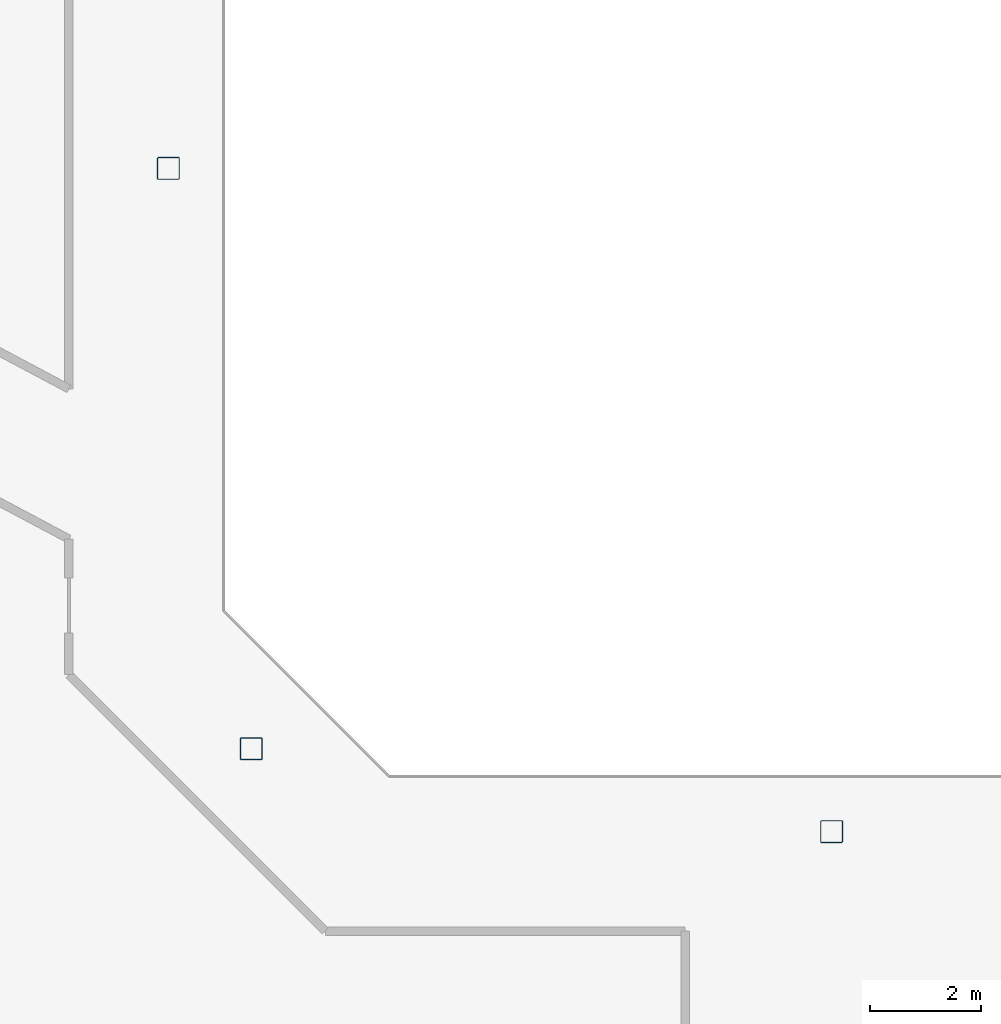
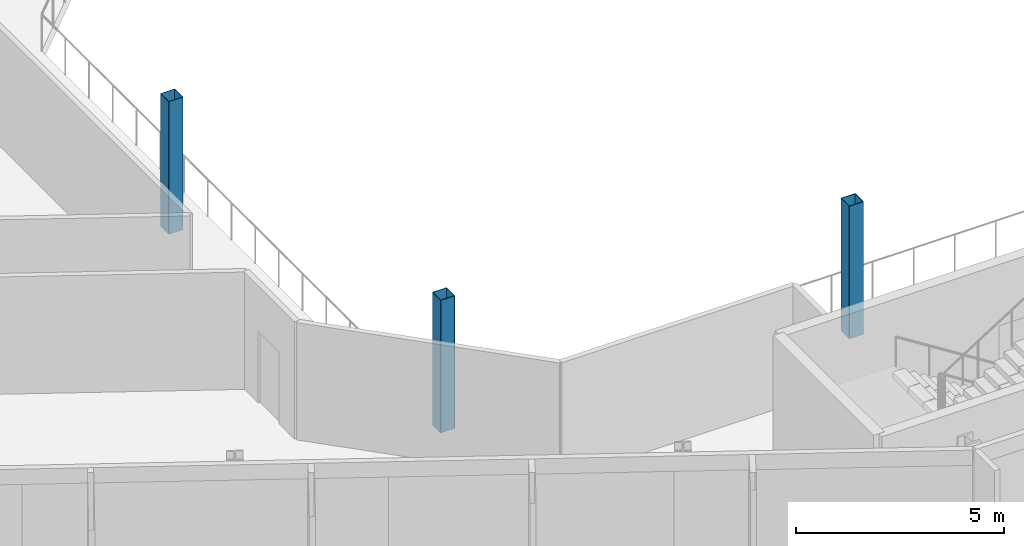
# One storey, part 2 of 26: 3 columns.
"""IFC4 building model written with IfcOpenShell, lengths in metres."""

from ifc_helpers import new_model, si_unit, direction, frame, origin, origin_2d, place, context, subcontext, project, spatial, hollow_rectangle, extrude, material, material_profile, profile_set, type_object, element, save


model = new_model("IFC4")

# Units and contexts
model_context = context("Model", 3, precision=1e-05, world=origin(), true_north=direction((0.0, 1.0)))
body_context = subcontext(model_context, "Body", "Model", "MODEL_VIEW")
ifc_project = project(units=[si_unit("LENGTHUNIT", "METRE"), si_unit("AREAUNIT", "SQUARE_METRE"), si_unit("VOLUMEUNIT", "CUBIC_METRE"), si_unit("PLANEANGLEUNIT", "RADIAN"), si_unit("MASSUNIT", "GRAM", prefix="KILO")], contexts=[model_context])

# Site, building, storey
site_placement = place(None, origin())
site = spatial("IfcSite", under=ifc_project, at=site_placement, CompositionType="ELEMENT")
building_placement = place(site_placement, origin())
building = spatial("IfcBuilding", under=site, at=building_placement, Name="Cormorant Relay Tower", CompositionType="ELEMENT")
storey_placement = place(building_placement, frame((0.0, 0.0, 248.10009765625)))
storey = spatial("IfcBuildingStorey", under=building, at=storey_placement, Name="L55", CompositionType="ELEMENT", Elevation=248.10009765625)

# Columns
ifc_material = material(Name="Steel ASTM A500 Grade C (Fy 345 MPa)", Category="steel")
ifc_material_profile = material_profile(ifc_material, hollow_rectangle(XDim=0.406494140625, YDim=0.406494140625, WallThickness=0.0146484375, InnerFilletRadius=0.00732421875, OuterFilletRadius=0.022216796875, at=origin_2d()), Name="HSS406x406x15")
ifc_profile_set = profile_set([ifc_material_profile], Name="Steel ASTM A500 Grade C (Fy 345 MPa)")
column_type = type_object("IfcColumnType", Name="Column HSS406x406x15", PredefinedType="COLUMN", material=ifc_profile_set)
for number, where, z_axis, x_axis, name in (
    (1, (0.0, -12.0, 0.0), (0.0, 0.0, 1.0), (1.0, 0.0, 0.0), "Column L55-007"),
    (2, (-10.5, -10.5, 0.0), (0.0, 0.0, 1.0), (1.0, 0.0, 0.0), "Column L55-009"),
    (3, (-12.0, 0.0, 0.0), (0.0, 0.0, 1.0), (1.0, 0.0, 0.0), "Column L55-015"),
):
    element("IfcColumn", number, at=place(storey_placement, frame(where, z_axis=z_axis, x_axis=x_axis)), inside=storey, type_object=column_type, Name=name, PredefinedType="COLUMN", context=body_context, shape_type="SweptSolid", body=[
        extrude(hollow_rectangle(XDim=0.406494140625, YDim=0.406494140625, WallThickness=0.0146484375, InnerFilletRadius=0.00732421875, OuterFilletRadius=0.022216796875, at=origin_2d()), origin(), (0.0, 0.0, 1.0), 3.89990234375),
    ])

save(model, "model.ifc")
